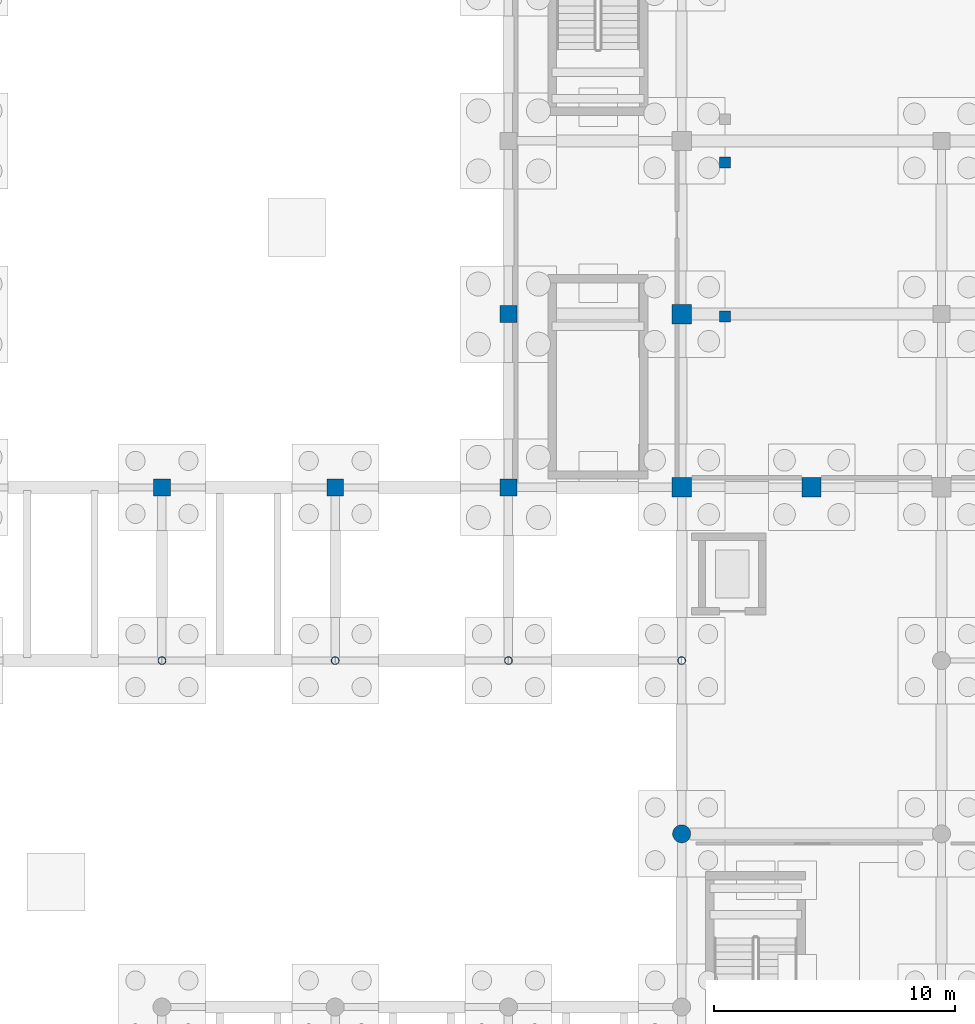
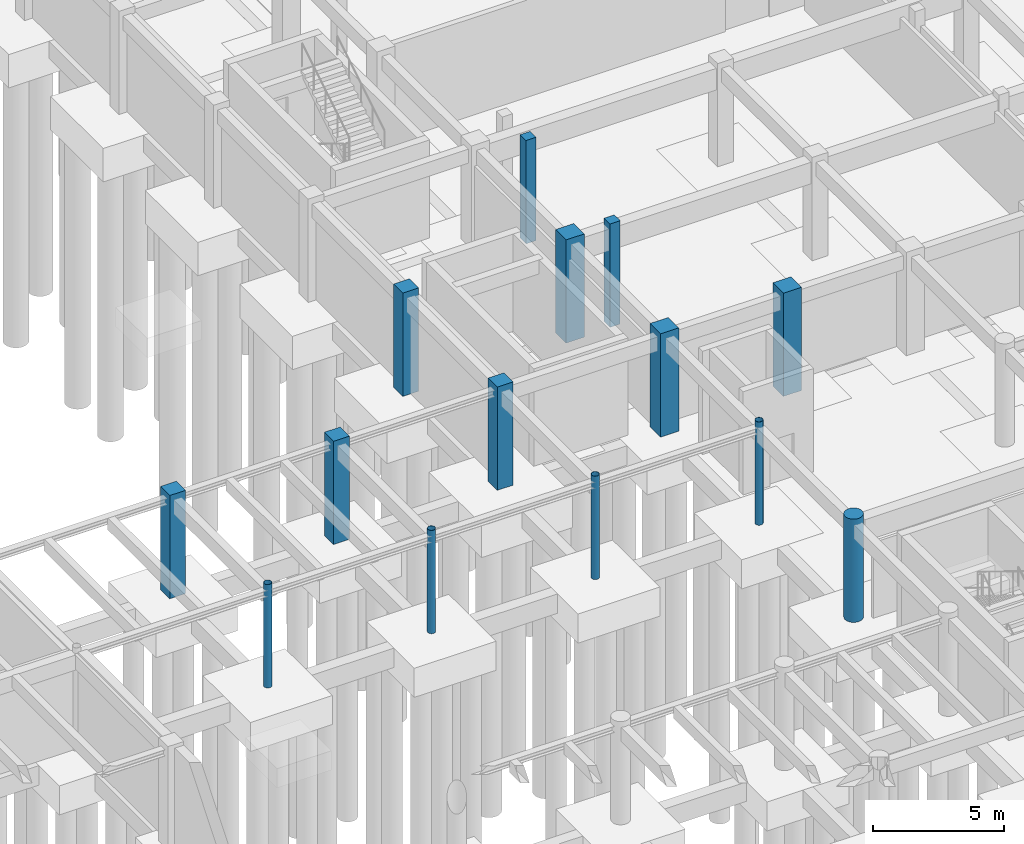
# One storey, part 13 of 46: 14 columns.
"""IFC4 building model written with IfcOpenShell, lengths in metres."""

import ifcopenshell
import ifcopenshell.guid

model = None  # the IFC model being written
_history = None  # IfcOwnerHistory: only IFC2X3 demands one
_inside = {}  # id of a spatial element -> (the spatial element, [elements in it])
_under = {}  # id of a project, library or spatial element -> (it, [spatial elements below it])
_declared = {}  # id of a project -> (the project, [libraries it declares])
_typed = {}  # id of a type object -> (the type object, [elements of that type])
_made_of = {}  # id of a material, layer set ... -> (it, [elements and type objects made of it])


def new_model(schema):
    """Start an empty IFC model of exactly this schema.

    Asked for "IFC4X3", IfcOpenShell would pick the latest addendum, in which some entities
    have other attributes; the version numbers below select the first issue.
    IFC2X3 requires an IfcOwnerHistory on every rooted entity: one is made here for all.
    """
    global model, _history
    if schema == "IFC4X3":
        model = ifcopenshell.file(schema_version=(4, 3, 0, 0))
    else:
        model = ifcopenshell.file(schema=schema)
    _inside.clear()
    _under.clear()
    _declared.clear()
    _typed.clear()
    _made_of.clear()
    _history = None
    if model.schema == "IFC2X3":
        org = make("IfcOrganization", Name="unknown")
        user = make(
            "IfcPersonAndOrganization",
            ThePerson=make("IfcPerson", FamilyName="unknown"),
            TheOrganization=org,
        )
        app = make(
            "IfcApplication",
            ApplicationDeveloper=org,
            Version="unknown",
            ApplicationFullName="unknown",
            ApplicationIdentifier="unknown",
        )
        _history = make(
            "IfcOwnerHistory",
            OwningUser=user,
            OwningApplication=app,
            ChangeAction="ADDED",
            CreationDate=0,
        )
    return model


def make(cls, **values):
    """One entity of the class cls with the attributes given. An attribute that is None is left unset."""
    return model.create_entity(
        cls, **{name: value for name, value in values.items() if value is not None}
    )


def rooted(cls, **values):
    """An entity with a GlobalId (a new one), such as an element, a storey or a relation."""
    return make(cls, GlobalId=ifcopenshell.guid.new(), OwnerHistory=_history, **values)


def si_unit(unit_type, name, prefix=None):
    """IfcSIUnit, for example si_unit("LENGTHUNIT", "METRE", prefix="MILLI")."""
    return make("IfcSIUnit", UnitType=unit_type, Prefix=prefix, Name=name)


def assignment(units):
    """IfcUnitAssignment: the units of a project."""
    return None if units is None else make("IfcUnitAssignment", Units=units)


def point(xyz):
    """IfcCartesianPoint."""
    return None if xyz is None else make("IfcCartesianPoint", Coordinates=xyz)


def direction(xyz):
    """IfcDirection."""
    return None if xyz is None else make("IfcDirection", DirectionRatios=xyz)


def frame(location, z_axis=None, x_axis=None):
    """IfcAxis2Placement3D, a coordinate frame: its origin and axes. An axis left out is left unset."""
    return make(
        "IfcAxis2Placement3D",
        Location=point(location),
        Axis=direction(z_axis),
        RefDirection=direction(x_axis),
    )


def frame_2d(location, x_axis=None):
    """IfcAxis2Placement2D, a coordinate frame in the plane: its origin and x axis."""
    return make(
        "IfcAxis2Placement2D", Location=point(location), RefDirection=direction(x_axis)
    )


def origin():
    """The frame at (0, 0, 0) with its axes left unset."""
    return frame((0.0, 0.0, 0.0))


def origin_2d():
    """The frame at (0, 0) in the plane with its x axis left unset."""
    return frame_2d((0.0, 0.0))


def place(relative_to, where):
    """IfcLocalPlacement: puts the frame where relative to a parent placement (None: the world)."""
    return make(
        "IfcLocalPlacement", PlacementRelTo=relative_to, RelativePlacement=where
    )


def context(
    kind, dimensions, precision=None, world=None, true_north=None, identifier=None
):
    """IfcGeometricRepresentationContext, for example the 3D "Model" context."""
    return make(
        "IfcGeometricRepresentationContext",
        ContextIdentifier=identifier,
        ContextType=kind,
        CoordinateSpaceDimension=dimensions,
        Precision=precision,
        WorldCoordinateSystem=world,
        TrueNorth=true_north,
    )


def subcontext(parent, identifier, kind, view, scale=None):
    """IfcGeometricRepresentationSubContext, for example "Body" below "Model"."""
    return make(
        "IfcGeometricRepresentationSubContext",
        ContextIdentifier=identifier,
        ContextType=kind,
        ParentContext=parent,
        TargetScale=scale,
        TargetView=view,
    )


def project(units=None, contexts=None):
    """IfcProject with its units and contexts."""
    return rooted(
        "IfcProject",
        Name="project",
        RepresentationContexts=contexts,
        UnitsInContext=assignment(units),
    )


def spatial(cls, under=None, at=None, **own):
    """A site, building, storey or space (cls), placed at a placement, below another one or the project."""
    s = rooted(cls, ObjectPlacement=at, **own)
    if under is not None:
        _under.setdefault(under.id(), (under, []))[1].append(s)
    return s


def profile(cls, at=None, kind="AREA", **sizes):
    """A parametric profile (cls). Its sizes go by their IFC names, for example OverallWidth=200.0."""
    return make(cls, ProfileType=kind, Position=at, **sizes)


def rectangle(**sizes):
    """IfcRectangleProfileDef."""
    return profile("IfcRectangleProfileDef", **sizes)


def circle(**sizes):
    """IfcCircleProfileDef."""
    return profile("IfcCircleProfileDef", **sizes)


def hollow_circle(**sizes):
    """IfcCircleHollowProfileDef."""
    return profile("IfcCircleHollowProfileDef", **sizes)


def extrude(swept, where, along, depth):
    """IfcExtrudedAreaSolid: the profile swept, set in the frame where, extruded along a direction by depth."""
    return make(
        "IfcExtrudedAreaSolid",
        SweptArea=swept,
        Position=where,
        ExtrudedDirection=direction(along),
        Depth=depth,
    )


def shape(context_of_items, identifier, shape_type, items):
    """IfcShapeRepresentation: the items that make up one representation, for example the "Body"."""
    return make(
        "IfcShapeRepresentation",
        ContextOfItems=context_of_items,
        RepresentationIdentifier=identifier,
        RepresentationType=shape_type,
        Items=items,
    )


def material(Name=None, Category=None):
    """IfcMaterial."""
    return make("IfcMaterial", Name=Name, Category=Category)


def material_profile(
    of_material, cross_section, Name=None, Category=None, Priority=None
):
    """IfcMaterialProfile: a cross section and its material."""
    return make(
        "IfcMaterialProfile",
        Name=Name,
        Material=of_material,
        Profile=cross_section,
        Priority=Priority,
        Category=Category,
    )


def profile_set(profiles, Name=None, composite=None):
    """IfcMaterialProfileSet."""
    return make(
        "IfcMaterialProfileSet",
        Name=Name,
        MaterialProfiles=profiles,
        CompositeProfile=composite,
    )


def made_of(thing, what):
    """Note that an element or type object is made of a material, layer set ...; save() writes the relation."""
    if what is not None:
        _made_of.setdefault(what.id(), (what, []))[1].append(thing)
    return thing


def type_object(cls, material=None, **own):
    """A type object (cls), such as IfcWallType, which elements share."""
    return made_of(rooted(cls, **own), material)


def element(
    cls,
    number,
    at=None,
    inside=None,
    cuts=None,
    type_object=None,
    material=None,
    context=None,
    identifier="Body",
    shape_type=None,
    held_by="IfcProductDefinitionShape",
    body=None,
    shapes=None,
    **own,
):
    """One element of the class cls, such as IfcWall. Its Tag is "e" and its number.

    at: its placement. inside: the storey or other place that contains it. cuts: it is an
    opening in that element (IfcRelVoidsElement). A single representation is given by context,
    identifier, shape_type and body (its items); several are given by shapes. held_by: the class
    of the entity that holds the representations. save() writes the other relations.
    """
    e = rooted(cls, Tag="e%d" % number, ObjectPlacement=at, **own)
    if body is not None:
        shapes = [shape(context, identifier, shape_type, body)]
    if shapes is not None:
        e.Representation = make(held_by, Representations=shapes)
    if inside is not None:
        _inside.setdefault(inside.id(), (inside, []))[1].append(e)
    if cuts is not None:
        rooted(
            "IfcRelVoidsElement", RelatingBuildingElement=cuts, RelatedOpeningElement=e
        )
    if type_object is not None:
        _typed.setdefault(type_object.id(), (type_object, []))[1].append(e)
    return made_of(e, material)


def aggregate(whole, parts):
    """IfcRelAggregates: a whole, such as a stair, and the parts it consists of."""
    return rooted("IfcRelAggregates", RelatingObject=whole, RelatedObjects=parts)


def save(model, path):
    """Write the relations noted so far, then the file.

    IfcRelAggregates (storeys below a building ...), IfcRelContainedInSpatialStructure (elements
    in a storey), IfcRelDefinesByType, IfcRelAssociatesMaterial and IfcRelDeclares: one each for
    every whole, place, type object, material and project.
    """
    for whole, parts in _under.values():
        aggregate(whole, parts)
    for where, things in _inside.values():
        rooted(
            "IfcRelContainedInSpatialStructure",
            RelatedElements=things,
            RelatingStructure=where,
        )
    for kind, things in _typed.values():
        rooted("IfcRelDefinesByType", RelatedObjects=things, RelatingType=kind)
    for what, things in _made_of.values():
        rooted("IfcRelAssociatesMaterial", RelatedObjects=things, RelatingMaterial=what)
    for by, libraries in _declared.values():
        rooted("IfcRelDeclares", RelatingContext=by, RelatedDefinitions=libraries)
    model.write(path)


model = new_model("IFC4")

# Units and contexts
model_context = context("Model", 3, precision=1e-05, world=origin(), true_north=direction((0.0, 1.0)))
body_context = subcontext(model_context, "Body", "Model", "MODEL_VIEW")
ifc_project = project(units=[si_unit("LENGTHUNIT", "METRE"), si_unit("AREAUNIT", "SQUARE_METRE"), si_unit("VOLUMEUNIT", "CUBIC_METRE"), si_unit("PLANEANGLEUNIT", "RADIAN"), si_unit("MASSUNIT", "GRAM", prefix="KILO")], contexts=[model_context])

# Site, building, storey
site_placement = place(None, origin())
site = spatial("IfcSite", under=ifc_project, at=site_placement, CompositionType="ELEMENT")
building_placement = place(site_placement, origin())
building = spatial("IfcBuilding", under=site, at=building_placement, Name="Tazoul Stagehouse", CompositionType="ELEMENT")
storey_placement = place(building_placement, frame((0.0, 0.0, -4.800048828125)))
storey = spatial("IfcBuildingStorey", under=building, at=storey_placement, Name="B1", CompositionType="ELEMENT", Elevation=-4.800048828125)

# Columns
ifc_material_1 = material(Name="Concrete C40/50", Category="concrete")
ifc_material_profile_1 = material_profile(ifc_material_1, circle(Radius=0.375, at=origin_2d()), Name="RC D750")
ifc_profile_set_1 = profile_set([ifc_material_profile_1], Name="Concrete C40/50")
column_type_1 = type_object("IfcColumnType", Name="RC Circular Column D750 (Exterior)", PredefinedType="COLUMN", material=ifc_profile_set_1)
column_1_placement = place(storey_placement, frame((57.60009765625, 37.39990234375, 0.0), z_axis=(0.0, 0.0, 1.0), x_axis=(1.0, 0.0, 0.0)))
element("IfcColumn", 1, at=column_1_placement, inside=storey, type_object=column_type_1, Name="B1 Column C-08E at 8/F", PredefinedType="COLUMN", context=body_context, shape_type="SweptSolid", body=[
    extrude(circle(Radius=0.375, at=origin_2d()), origin(), (0.0, 0.0, 1.0), 4.800048828125),
])
ifc_material_profile_2 = material_profile(ifc_material_1, rectangle(XDim=0.449951171875, YDim=0.449951171875, at=origin_2d()), Name="RC 450x450")
ifc_profile_set_2 = profile_set([ifc_material_profile_2], Name="Concrete C40/50")
column_type_2 = type_object("IfcColumnType", Name="RC Column 450x450", PredefinedType="COLUMN", material=ifc_profile_set_2)
for number, where, z_axis, x_axis, name in (
    (2, (59.39990234375, 65.300048828125, 0.0), (0.0, 0.0, 1.0), (1.0, 0.0, 0.0), "B1 Bowl Support Column C-01 (V1-DRESS-FRT-1)"),
    (3, (59.39990234375, 58.89990234375, 0.0), (0.0, 0.0, 1.0), (1.0, 0.0, 0.0), "B1 Bowl Support Column C-01 (V1-DRESS-RER-1)"),
):
    element("IfcColumn", number, at=place(storey_placement, frame(where, z_axis=z_axis, x_axis=x_axis)), inside=storey, type_object=column_type_2, Name=name, PredefinedType="COLUMN", context=body_context, shape_type="SweptSolid", body=[
        extrude(rectangle(XDim=0.449951171875, YDim=0.449951171875, at=origin_2d()), origin(), (0.0, 0.0, 1.0), 4.800048828125),
    ])
ifc_material_profile_3 = material_profile(ifc_material_1, rectangle(XDim=0.699951171875, YDim=0.699951171875, at=origin_2d()), Name="RC 700x700")
ifc_profile_set_3 = profile_set([ifc_material_profile_3], Name="Concrete C40/50")
column_type_3 = type_object("IfcColumnType", Name="RC Column 700x700 (Exterior)", PredefinedType="COLUMN", material=ifc_profile_set_3)
for number, where, z_axis, x_axis, name in (
    (4, (36.0, 51.800048828125, 0.0), (0.0, 0.0, 1.0), (1.0, 0.0, 0.0), "B1 Column C-04E at 5/H"),
    (5, (43.199951171875, 51.800048828125, 0.0), (0.0, 0.0, 1.0), (1.0, 0.0, 0.0), "B1 Column C-04E at 6/H"),
    (6, (50.39990234375, 51.800048828125, 0.0), (0.0, 0.0, 1.0), (1.0, 0.0, 0.0), "B1 Column C-04E at 7/H"),
    (7, (50.39990234375, 59.0, 0.0), (0.0, 0.0, 1.0), (1.0, 0.0, 0.0), "B1 Column C-04E at 7/J"),
):
    element("IfcColumn", number, at=place(storey_placement, frame(where, z_axis=z_axis, x_axis=x_axis)), inside=storey, type_object=column_type_3, Name=name, PredefinedType="COLUMN", context=body_context, shape_type="SweptSolid", body=[
        extrude(rectangle(XDim=0.699951171875, YDim=0.699951171875, at=origin_2d()), origin(), (0.0, 0.0, 1.0), 4.800048828125),
    ])
ifc_material_profile_4 = material_profile(ifc_material_1, rectangle(XDim=0.800048828125, YDim=0.800048828125, at=origin_2d()), Name="RC 800x800")
ifc_profile_set_4 = profile_set([ifc_material_profile_4], Name="Concrete C40/50")
column_type_4 = type_object("IfcColumnType", Name="RC Column 800x800", PredefinedType="COLUMN", material=ifc_profile_set_4)
for number, where, z_axis, x_axis, name in (
    (8, (57.60009765625, 59.0, 0.0), (0.0, 0.0, 1.0), (1.0, 0.0, 0.0), "B1 Column C-05 at 8/J"),
    (9, (63.0, 51.800048828125, 0.0), (0.0, 0.0, 1.0), (1.0, 0.0, 0.0), "B1 Column C-05 at 9/H"),
):
    element("IfcColumn", number, at=place(storey_placement, frame(where, z_axis=z_axis, x_axis=x_axis)), inside=storey, type_object=column_type_4, Name=name, PredefinedType="COLUMN", context=body_context, shape_type="SweptSolid", body=[
        extrude(rectangle(XDim=0.800048828125, YDim=0.800048828125, at=origin_2d()), origin(), (0.0, 0.0, 1.0), 4.800048828125),
    ])
ifc_material_profile_5 = material_profile(ifc_material_1, rectangle(XDim=0.800048828125, YDim=0.800048828125, at=origin_2d()), Name="RC 800x800")
ifc_profile_set_5 = profile_set([ifc_material_profile_5], Name="Concrete C40/50")
column_type_5 = type_object("IfcColumnType", Name="RC Column 800x800 (Exterior)", PredefinedType="COLUMN", material=ifc_profile_set_5)
column_2_placement = place(storey_placement, frame((57.60009765625, 51.800048828125, 0.0), z_axis=(0.0, 0.0, 1.0), x_axis=(1.0, 0.0, 0.0)))
element("IfcColumn", 10, at=column_2_placement, inside=storey, type_object=column_type_5, Name="B1 Column C-05E at 8/H", PredefinedType="COLUMN", context=body_context, shape_type="SweptSolid", body=[
    extrude(rectangle(XDim=0.800048828125, YDim=0.800048828125, at=origin_2d()), origin(), (0.0, 0.0, 1.0), 4.800048828125),
])
ifc_material_2 = material(Name="Steel S355", Category="steel")
ifc_material_profile_6 = material_profile(ifc_material_2, hollow_circle(Radius=0.161865234375, WallThickness=0.012451171875, at=origin_2d()), Name="CHS 323.9x12.5")
ifc_profile_set_6 = profile_set([ifc_material_profile_6], Name="Steel S355")
column_type_6 = type_object("IfcColumnType", Name="Steel Arcade Column CHS 323.9x12.5 (Exterior)", PredefinedType="COLUMN", material=ifc_profile_set_6)
for number, where, z_axis, x_axis, name in (
    (11, (36.0, 44.60009765625, 0.0), (0.0, 0.0, 1.0), (1.0, 0.0, 0.0), "B1 Column SC-07E at 5/G"),
    (12, (43.199951171875, 44.60009765625, 0.0), (0.0, 0.0, 1.0), (1.0, 0.0, 0.0), "B1 Column SC-07E at 6/G"),
    (13, (50.39990234375, 44.60009765625, 0.0), (0.0, 0.0, 1.0), (1.0, 0.0, 0.0), "B1 Column SC-07E at 7/G"),
    (14, (57.60009765625, 44.60009765625, 0.0), (0.0, 0.0, 1.0), (1.0, 0.0, 0.0), "B1 Column SC-07E at 8/G"),
):
    element("IfcColumn", number, at=place(storey_placement, frame(where, z_axis=z_axis, x_axis=x_axis)), inside=storey, type_object=column_type_6, Name=name, PredefinedType="COLUMN", context=body_context, shape_type="SweptSolid", body=[
        extrude(hollow_circle(Radius=0.161865234375, WallThickness=0.012451171875, at=origin_2d()), origin(), (0.0, 0.0, 1.0), 4.800048828125),
    ])

save(model, "model.ifc")
